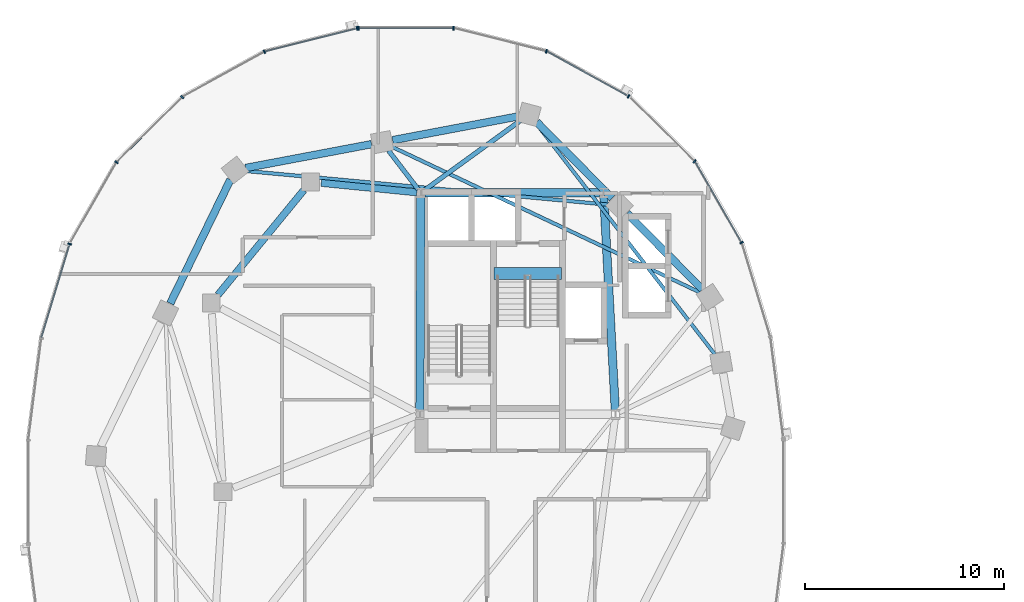
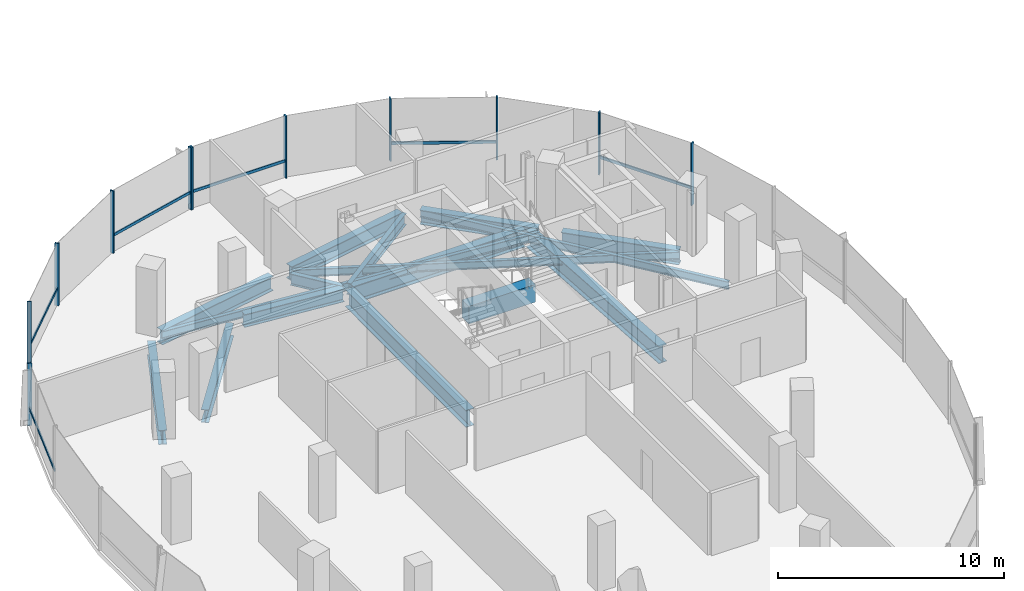
# One storey, part 5 of 22: 17 members, 16 beams, 2 elements without a shape of their own.
"""IFC4 building model written with IfcOpenShell, lengths in metres."""

from ifc_helpers import new_model, si_unit, direction, frame, origin, origin_2d, place, context, subcontext, project, spatial, rectangle, i_section, extrude, material, material_profile, profile_set, type_object, element, aggregate, save


model = new_model("IFC4")

# Units and contexts
model_context = context("Model", 3, precision=1e-05, world=origin(), true_north=direction((0.0, 1.0)))
body_context = subcontext(model_context, "Body", "Model", "MODEL_VIEW")
ifc_project = project(units=[si_unit("LENGTHUNIT", "METRE"), si_unit("AREAUNIT", "SQUARE_METRE"), si_unit("VOLUMEUNIT", "CUBIC_METRE"), si_unit("PLANEANGLEUNIT", "RADIAN"), si_unit("MASSUNIT", "GRAM", prefix="KILO"), si_unit("THERMODYNAMICTEMPERATUREUNIT", "KELVIN"), si_unit("POWERUNIT", "WATT")], contexts=[model_context])

# Site, building, storey
site_placement = place(None, origin())
site = spatial("IfcSite", under=ifc_project, at=site_placement, CompositionType="ELEMENT")
building_placement = place(site_placement, origin())
building = spatial("IfcBuilding", under=site, at=building_placement, Name="Cundina Bronze Exchange", CompositionType="ELEMENT")
storey_placement = place(building_placement, frame((0.0, 0.0, 136.800048828125)))
storey = spatial("IfcBuildingStorey", under=building, at=storey_placement, Name="L35", CompositionType="ELEMENT", Elevation=136.800048828125)

# Beams
ifc_material_1 = material(Name="Concrete C60/75", Category="concrete")
ifc_material_profile_1 = material_profile(ifc_material_1, rectangle(XDim=0.60009765625, YDim=0.949951171875, at=origin_2d()), Name="RC600X950", Category="concrete")
ifc_profile_set_1 = profile_set([ifc_material_profile_1], Name="Concrete C60/75")
beam_type_1 = type_object("IfcBeamType", Name="BM-COUP-RC950", PredefinedType="LINTEL", material=ifc_profile_set_1)
beam_1_placement = place(storey_placement, frame((-27.56005859375, 10.97998046875, -0.47509765625), z_axis=(1.0, 0.0, 0.0), x_axis=(0.0, 1.0, 0.0)))
element("IfcBeam", 1, at=beam_1_placement, inside=storey, type_object=beam_type_1, Name="L35 Stair W2 Landing Header Beam", PredefinedType="LINTEL", context=body_context, shape_type="SweptSolid", body=[
    extrude(rectangle(XDim=0.60009765625, YDim=0.949951171875, at=origin_2d()), origin(), (0.0, 0.0, 1.0), 3.400146484375),
])
ifc_material_2 = material(Name="Steel ASTM A992 Grade 50", Category="steel")
ifc_material_profile_2 = material_profile(ifc_material_2, i_section(OverallWidth=0.22998046875, OverallDepth=0.616943359375, WebThickness=0.01318359375, FlangeThickness=0.022216796875, FilletRadius=0.013916015625, at=origin_2d()), Name="W24X94", Category="steel")
ifc_profile_set_2 = profile_set([ifc_material_profile_2], Name="Steel ASTM A992 Grade 50")
beam_type_2 = type_object("IfcBeamType", Name="BM-FLR-W24B", PredefinedType="BEAM", material=ifc_profile_set_2)
beam_2_placement = place(storey_placement, frame((-31.084716796875, 15.169677734375, -0.548583984375), z_axis=(0.809686957662, 0.586862020063, 0.0), x_axis=(-0.586862020063, 0.809686957662, 0.0)))
element("IfcBeam", 2, at=beam_2_placement, inside=storey, type_object=beam_type_2, Name="L35 Leg W Radial Floor Beam 04", PredefinedType="BEAM", context=body_context, shape_type="SweptSolid", body=[
    extrude(i_section(OverallWidth=0.22998046875, OverallDepth=0.616943359375, WebThickness=0.01318359375, FlangeThickness=0.022216796875, FilletRadius=0.013916015625, at=origin_2d()), origin(), (0.0, 0.0, 1.0), 5.98876953125),
])
beam_3_placement = place(storey_placement, frame((-31.373779296875, 15.2119140625, -0.548583984375), z_axis=(-0.607490490457, 0.79432695032, 0.0), x_axis=(-0.79432695032, -0.607490490457, 0.0)))
element("IfcBeam", 3, at=beam_3_placement, inside=storey, type_object=beam_type_2, Name="L35 Leg W Radial Floor Beam 05", PredefinedType="BEAM", context=body_context, shape_type="SweptSolid", body=[
    extrude(i_section(OverallWidth=0.22998046875, OverallDepth=0.616943359375, WebThickness=0.01318359375, FlangeThickness=0.022216796875, FilletRadius=0.013916015625, at=origin_2d()), origin(), (0.0, 0.0, 1.0), 2.46826171875),
])
ifc_material_profile_3 = material_profile(ifc_material_2, i_section(OverallWidth=0.178955078125, OverallDepth=0.409912109375, WebThickness=0.0087890625, FlangeThickness=0.014404296875, FilletRadius=0.010986328125, at=origin_2d()), Name="W16X45", Category="steel")
ifc_profile_set_3 = profile_set([ifc_material_profile_3], Name="Steel ASTM A992 Grade 50")
beam_type_3 = type_object("IfcBeamType", Name="BM-JST-W16", PredefinedType="JOIST", material=ifc_profile_set_3)
beam_4_placement = place(storey_placement, frame((-16.454345703125, 6.92529296875, -0.445068359375), z_axis=(-0.612065218806, 0.790807288742, 0.0), x_axis=(-0.790807288742, -0.612065218806, 0.0)))
element("IfcBeam", 4, at=beam_4_placement, inside=storey, type_object=beam_type_3, Name="L35 Leg W Lobe Floor Joist 01-04", PredefinedType="JOIST", context=body_context, shape_type="SweptSolid", body=[
    extrude(i_section(OverallWidth=0.178955078125, OverallDepth=0.409912109375, WebThickness=0.0087890625, FlangeThickness=0.014404296875, FilletRadius=0.010986328125, at=origin_2d()), origin(), (0.0, 0.0, 1.0), 14.73095703125),
])
beam_5_placement = place(storey_placement, frame((-17.186279296875, 10.02978515625, -0.445068359375), z_axis=(-0.904069270633, 0.427385954259, 0.0), x_axis=(-0.427385954259, -0.904069270633, 0.0)))
element("IfcBeam", 5, at=beam_5_placement, inside=storey, type_object=beam_type_3, Name="L35 Leg W Lobe Floor Joist 02-05", PredefinedType="JOIST", context=body_context, shape_type="SweptSolid", body=[
    extrude(i_section(OverallWidth=0.178955078125, OverallDepth=0.409912109375, WebThickness=0.0087890625, FlangeThickness=0.014404296875, FilletRadius=0.010986328125, at=origin_2d()), origin(), (0.0, 0.0, 1.0), 17.175048828125),
])
beam_6_placement = place(storey_placement, frame((-21.78564453125, 14.44970703125, -0.445068359375), z_axis=(-0.995700674022, 0.092629194921, 0.0), x_axis=(-0.092629194921, -0.995700674022, 0.0)))
element("IfcBeam", 6, at=beam_6_placement, inside=storey, type_object=beam_type_3, Name="L35 Leg W Lobe Floor Joist 03-06", PredefinedType="JOIST", context=body_context, shape_type="SweptSolid", body=[
    extrude(i_section(OverallWidth=0.178955078125, OverallDepth=0.409912109375, WebThickness=0.0087890625, FlangeThickness=0.014404296875, FilletRadius=0.010986328125, at=origin_2d()), origin(), (0.0, 0.0, 1.0), 18.357421875),
])
ifc_material_profile_4 = material_profile(ifc_material_2, i_section(OverallWidth=0.35498046875, OverallDepth=0.695068359375, WebThickness=0.015380859375, FlangeThickness=0.02490234375, FilletRadius=0.01806640625, at=origin_2d()), Name="W27X146", Category="steel")
ifc_profile_set_4 = profile_set([ifc_material_profile_4], Name="Steel ASTM A992 Grade 50")
beam_type_4 = type_object("IfcBeamType", Name="BM-RING-W27", PredefinedType="USERDEFINED", material=ifc_profile_set_4)
beam_7_placement = place(storey_placement, frame((-31.452880859375, 15.070068359375, -0.587646484375), z_axis=(-0.995126271817, 0.098608839051, 0.0), x_axis=(-0.098608839051, -0.995126271817, 0.0)))
element("IfcBeam", 7, at=beam_7_placement, inside=storey, type_object=beam_type_4, Name="L35 W Inner Structural Ring Girder 01", ObjectType="GIRDER", PredefinedType="USERDEFINED", context=body_context, shape_type="SweptSolid", body=[
    extrude(i_section(OverallWidth=0.35498046875, OverallDepth=0.695068359375, WebThickness=0.015380859375, FlangeThickness=0.02490234375, FilletRadius=0.01806640625, at=origin_2d()), origin(), (0.0, 0.0, 1.0), 4.83544921875),
])
beam_8_placement = place(storey_placement, frame((-37.14111328125, 15.183837890625, -0.587646484375), z_axis=(-0.633926549035, -0.773393257295, 0.0), x_axis=(0.773393257295, -0.633926549035, 0.0)))
element("IfcBeam", 8, at=beam_8_placement, inside=storey, type_object=beam_type_4, Name="L35 W Inner Structural Ring Girder 02", ObjectType="GIRDER", PredefinedType="USERDEFINED", context=body_context, shape_type="SweptSolid", body=[
    extrude(i_section(OverallWidth=0.35498046875, OverallDepth=0.695068359375, WebThickness=0.015380859375, FlangeThickness=0.02490234375, FilletRadius=0.01806640625, at=origin_2d()), origin(), (0.0, 0.0, 1.0), 6.811279296875),
])
ifc_material_profile_5 = material_profile(ifc_material_2, i_section(OverallWidth=0.381103515625, OverallDepth=0.77294921875, WebThickness=0.0166015625, FlangeThickness=0.027099609375, FilletRadius=0.01904296875, at=origin_2d()), Name="W30X173", Category="steel")
ifc_profile_set_5 = profile_set([ifc_material_profile_5], Name="Steel ASTM A992 Grade 50")
beam_type_5 = type_object("IfcBeamType", Name="BM-RING-W30", PredefinedType="USERDEFINED", material=ifc_profile_set_5)
for number, where, z_axis, x_axis, name in (
    (9, (-17.078369140625, 10.1826171875, -0.62646484375), (-0.703226342126, 0.7109660412, 0.0), (-0.7109660412, -0.703226342126, 0.0), "L35 W Perimeter Ring Girder 02"),
    (10, (-21.62841796875, 14.782470703125, -0.62646484375), (-0.703226342126, 0.7109660412, 0.0), (-0.7109660412, -0.703226342126, 0.0), "L35 W Perimeter Ring Girder 03"),
):
    element("IfcBeam", number, at=place(storey_placement, frame(where, z_axis=z_axis, x_axis=x_axis)), inside=storey, type_object=beam_type_5, Name=name, ObjectType="GIRDER", PredefinedType="USERDEFINED", context=body_context, shape_type="SweptSolid", body=[
        extrude(i_section(OverallWidth=0.381103515625, OverallDepth=0.77294921875, WebThickness=0.0166015625, FlangeThickness=0.027099609375, FilletRadius=0.01904296875, at=origin_2d()), origin(), (0.0, 0.0, 1.0), 5.39404296875),
    ])
for number, where, z_axis, x_axis, name in (
    (11, (-26.32861328125, 18.89990234375, -0.62646484375), (-0.98257117919, -0.185886733861, 0.0), (0.185886733861, -0.98257117919, 0.0), "L35 W Perimeter Ring Girder 04"),
    (12, (-33.728515625, 17.5, -0.62646484375), (-0.98257117919, -0.185886733861, 0.0), (0.185886733861, -0.98257117919, 0.0), "L35 W Perimeter Ring Girder 05"),
):
    element("IfcBeam", number, at=place(storey_placement, frame(where, z_axis=z_axis, x_axis=x_axis)), inside=storey, type_object=beam_type_5, Name=name, ObjectType="GIRDER", PredefinedType="USERDEFINED", context=body_context, shape_type="SweptSolid", body=[
        extrude(i_section(OverallWidth=0.381103515625, OverallDepth=0.77294921875, WebThickness=0.0166015625, FlangeThickness=0.027099609375, FilletRadius=0.01904296875, at=origin_2d()), origin(), (0.0, 0.0, 1.0), 6.455322265625),
    ])
beam_9_placement = place(storey_placement, frame((-40.835205078125, 15.716064453125, -0.62646484375), z_axis=(-0.437193894283, -0.899367276924, 0.0), x_axis=(0.899367276924, -0.437193894283, 0.0)))
element("IfcBeam", 13, at=beam_9_placement, inside=storey, type_object=beam_type_5, Name="L35 W Perimeter Ring Girder 06", ObjectType="GIRDER", PredefinedType="USERDEFINED", context=body_context, shape_type="SweptSolid", body=[
    extrude(i_section(OverallWidth=0.381103515625, OverallDepth=0.77294921875, WebThickness=0.0166015625, FlangeThickness=0.027099609375, FilletRadius=0.01904296875, at=origin_2d()), origin(), (0.0, 0.0, 1.0), 6.929443359375),
])
ifc_material_profile_6 = material_profile(ifc_material_2, i_section(OverallWidth=0.41796875, OverallDepth=0.927001953125, WebThickness=0.019287109375, FlangeThickness=0.031982421875, FilletRadius=0.02392578125, at=origin_2d()), Name="W36X231", Category="steel")
ifc_profile_set_6 = profile_set([ifc_material_profile_6], Name="Steel ASTM A992 Grade 50")
beam_type_6 = type_object("IfcBeamType", Name="BM-WRN-W36B", PredefinedType="USERDEFINED", material=ifc_profile_set_6)
beam_10_placement = place(storey_placement, frame((-21.4609375, 4.103759765625, -0.70361328125), z_axis=(-0.053739193498, 0.998555005537, 0.0), x_axis=(-0.998555005537, -0.053739193498, 0.0)))
element("IfcBeam", 14, at=beam_10_placement, inside=storey, type_object=beam_type_6, Name="L35 W Core Perimeter Tie Girder 2", ObjectType="GIRDER", PredefinedType="USERDEFINED", context=body_context, shape_type="SweptSolid", body=[
    extrude(i_section(OverallWidth=0.41796875, OverallDepth=0.927001953125, WebThickness=0.019287109375, FlangeThickness=0.031982421875, FilletRadius=0.02392578125, at=origin_2d()), origin(), (0.0, 0.0, 1.0), 10.758056640625),
])
beam_11_placement = place(storey_placement, frame((-22.25390625, 15.050048828125, -0.70361328125), z_axis=(-1.0, 0.0, 0.0), x_axis=(0.0, -1.0, 0.0)))
element("IfcBeam", 15, at=beam_11_placement, inside=storey, type_object=beam_type_6, Name="L35 W Core Perimeter Tie Girder 3", ObjectType="GIRDER", PredefinedType="USERDEFINED", context=body_context, shape_type="SweptSolid", body=[
    extrude(i_section(OverallWidth=0.41796875, OverallDepth=0.927001953125, WebThickness=0.019287109375, FlangeThickness=0.031982421875, FilletRadius=0.02392578125, at=origin_2d()), origin(), (0.0, 0.0, 1.0), 8.7919921875),
])
beam_12_placement = place(storey_placement, frame((-31.2509765625, 14.845947265625, -0.70361328125), z_axis=(-0.004477329608, -0.99998997671, 0.0), x_axis=(0.99998997671, -0.004477329608, 0.0)))
element("IfcBeam", 16, at=beam_12_placement, inside=storey, type_object=beam_type_6, Name="L35 W Core Perimeter Tie Girder 4", ObjectType="GIRDER", PredefinedType="USERDEFINED", context=body_context, shape_type="SweptSolid", body=[
    extrude(i_section(OverallWidth=0.41796875, OverallDepth=0.927001953125, WebThickness=0.019287109375, FlangeThickness=0.031982421875, FilletRadius=0.02392578125, at=origin_2d()), origin(), (0.0, 0.0, 1.0), 10.741943359375),
])

# Curtain wall, members
ifc_material_3 = material(Name="Anodised Bronze Aluminium 6063-T6", Category="aluminium")
curtain_wall_type = type_object("IfcCurtainWallType", Name="CWS-WST-PIN", PredefinedType="NOTDEFINED", material=ifc_material_3)
curtain_wall_1_placement = place(storey_placement, origin())
curtain_wall_1 = element("IfcCurtainWall", 17, at=curtain_wall_1_placement, inside=storey, type_object=curtain_wall_type, Name="L35 CW-04 Curtain Wall Run CWR-L35-W1", PredefinedType="NOTDEFINED")
ifc_material_profile_7 = material_profile(ifc_material_3, rectangle(XDim=0.070068359375, YDim=0.18994140625, at=origin_2d()), Name="AL70X190", Category="aluminium")
ifc_profile_set_7 = profile_set([ifc_material_profile_7], Name="Anodised Bronze Aluminium 6063-T6")
member_type_1 = type_object("IfcMemberType", Name="CWM-MUL-190", PredefinedType="MULLION", material=ifc_profile_set_7)
member_1_placement = place(storey_placement, frame((-15.10205078125, 12.541259765625, 0.0), z_axis=(0.0, 0.0, 1.0), x_axis=(-0.498487739754, 0.866896748936, 0.0)))
member_1 = element("IfcMember", 18, at=member_1_placement, type_object=member_type_1, Name="CW-04 Mullion 3", PredefinedType="MULLION", context=body_context, shape_type="SweptSolid", body=[
    extrude(rectangle(XDim=0.070068359375, YDim=0.18994140625, at=origin_2d()), origin(), (0.0, 0.0, 1.0), 3.35986328125),
])
member_2_placement = place(storey_placement, frame((-17.469482421875, 16.640380859375, 0.0), z_axis=(0.0, 0.0, 1.0), x_axis=(-0.712026045991, 0.702153052995, 0.0)))
member_2 = element("IfcMember", 19, at=member_2_placement, type_object=member_type_1, Name="CW-04 Mullion 4", PredefinedType="MULLION", context=body_context, shape_type="SweptSolid", body=[
    extrude(rectangle(XDim=0.070068359375, YDim=0.18994140625, at=origin_2d()), origin(), (0.0, 0.0, 1.0), 3.35986328125),
])
member_3_placement = place(storey_placement, frame((-20.79345703125, 19.906005859375, 0.0), z_axis=(0.0, 0.0, 1.0), x_axis=(-0.875885937035, 0.482518212408, 0.0)))
member_3 = element("IfcMember", 20, at=member_3_placement, type_object=member_type_1, Name="CW-04 Mullion 5", PredefinedType="MULLION", context=body_context, shape_type="SweptSolid", body=[
    extrude(rectangle(XDim=0.070068359375, YDim=0.18994140625, at=origin_2d()), origin(), (0.0, 0.0, 1.0), 3.35986328125),
])
member_4_placement = place(storey_placement, frame((-24.932373046875, 22.17626953125, 0.0), z_axis=(0.0, 0.0, 1.0), x_axis=(-0.970084240161, 0.242768546132, 0.0)))
member_4 = element("IfcMember", 21, at=member_4_placement, type_object=member_type_1, Name="CW-04 Mullion 6", PredefinedType="MULLION", context=body_context, shape_type="SweptSolid", body=[
    extrude(rectangle(XDim=0.070068359375, YDim=0.18994140625, at=origin_2d()), origin(), (0.0, 0.0, 1.0), 3.35986328125),
])
member_5_placement = place(storey_placement, frame((-29.60595703125, 23.3369140625, 0.0), z_axis=(0.0, 0.0, 1.0), x_axis=(-1.0, 0.0, 0.0)))
member_5 = element("IfcMember", 22, at=member_5_placement, type_object=member_type_1, Name="CW-04 Mullion 7", PredefinedType="MULLION", context=body_context, shape_type="SweptSolid", body=[
    extrude(rectangle(XDim=0.070068359375, YDim=0.18994140625, at=origin_2d()), origin(), (0.0, 0.0, 1.0), 3.35986328125),
])
member_6_placement = place(storey_placement, frame((-34.39404296875, 23.3369140625, 0.0), z_axis=(0.0, 0.0, 1.0), x_axis=(-1.0, 0.0, 0.0)))
member_6 = element("IfcMember", 23, at=member_6_placement, type_object=member_type_1, Name="CW-04 End Mullion", PredefinedType="MULLION", context=body_context, shape_type="SweptSolid", body=[
    extrude(rectangle(XDim=0.070068359375, YDim=0.18994140625, at=origin_2d()), origin(), (0.0, 0.0, 1.0), 3.35986328125),
])

curtain_wall_2_placement = place(storey_placement, origin())
curtain_wall_2 = element("IfcCurtainWall", 24, at=curtain_wall_2_placement, inside=storey, type_object=curtain_wall_type, Name="L35 CW-04 Curtain Wall Run CWR-L35-W2", PredefinedType="NOTDEFINED")
member_7_placement = place(storey_placement, frame((-34.462646484375, 23.32861328125, 0.0), z_axis=(0.0, 0.0, 1.0), x_axis=(-0.970084240161, -0.242768546132, 0.0)))
member_7 = element("IfcMember", 25, at=member_7_placement, type_object=member_type_1, Name="CW-04 Mullion 1", PredefinedType="MULLION", context=body_context, shape_type="SweptSolid", body=[
    extrude(rectangle(XDim=0.070068359375, YDim=0.18994140625, at=origin_2d()), origin(), (0.0, 0.0, 1.0), 3.35986328125),
])
member_8_placement = place(storey_placement, frame((-39.13037109375, 22.151611328125, 0.0), z_axis=(0.0, 0.0, 1.0), x_axis=(-0.875885937035, -0.482518212408, 0.0)))
member_8 = element("IfcMember", 26, at=member_8_placement, type_object=member_type_1, Name="CW-04 Mullion 2", PredefinedType="MULLION", context=body_context, shape_type="SweptSolid", body=[
    extrude(rectangle(XDim=0.070068359375, YDim=0.18994140625, at=origin_2d()), origin(), (0.0, 0.0, 1.0), 3.35986328125),
])
member_9_placement = place(storey_placement, frame((-43.259033203125, 19.86669921875, 0.0), z_axis=(0.0, 0.0, 1.0), x_axis=(-0.712026045991, -0.702153052995, 0.0)))
member_9 = element("IfcMember", 27, at=member_9_placement, type_object=member_type_1, Name="CW-04 Mullion 3", PredefinedType="MULLION", context=body_context, shape_type="SweptSolid", body=[
    extrude(rectangle(XDim=0.070068359375, YDim=0.18994140625, at=origin_2d()), origin(), (0.0, 0.0, 1.0), 3.35986328125),
])
member_10_placement = place(storey_placement, frame((-46.57080078125, 16.588134765625, 0.0), z_axis=(0.0, 0.0, 1.0), x_axis=(-0.498487739754, -0.866896748936, 0.0)))
member_10 = element("IfcMember", 28, at=member_10_placement, type_object=member_type_1, Name="CW-04 Mullion 4", PredefinedType="MULLION", context=body_context, shape_type="SweptSolid", body=[
    extrude(rectangle(XDim=0.070068359375, YDim=0.18994140625, at=origin_2d()), origin(), (0.0, 0.0, 1.0), 3.35986328125),
])
member_11_placement = place(storey_placement, frame((-48.92626953125, 12.4755859375, 0.0), z_axis=(0.0, 0.0, 1.0), x_axis=(-0.290034140915, -0.957016299288, 0.0)))
member_11 = element("IfcMember", 29, at=member_11_placement, type_object=member_type_1, Name="CW-04 Mullion 5", PredefinedType="MULLION", context=body_context, shape_type="SweptSolid", body=[
    extrude(rectangle(XDim=0.070068359375, YDim=0.18994140625, at=origin_2d()), origin(), (0.0, 0.0, 1.0), 3.35986328125),
])

# Member
ifc_material_profile_8 = material_profile(ifc_material_3, rectangle(XDim=0.06494140625, YDim=0.14990234375, at=origin_2d()), Name="AL65X150", Category="aluminium")
ifc_profile_set_8 = profile_set([ifc_material_profile_8], Name="Anodised Bronze Aluminium 6063-T6")
member_type_2 = type_object("IfcMemberType", Name="CWM-TRN-150", PredefinedType="USERDEFINED", material=ifc_profile_set_8)
member_12_placement = place(storey_placement, frame((-15.121337890625, 12.574462890625, 0.919921875), z_axis=(-0.498479967047, 0.866901218394, 0.0), x_axis=(-0.866901218394, -0.498479967047, 0.0)))
member_12 = element("IfcMember", 30, at=member_12_placement, type_object=member_type_2, Name="CW-04 Spandrel Transom 3", ObjectType="TRANSOM", PredefinedType="USERDEFINED", context=body_context, shape_type="SweptSolid", body=[
    extrude(rectangle(XDim=0.06494140625, YDim=0.14990234375, at=origin_2d()), origin(), (0.0, 0.0, 1.0), 4.66845703125),
])

member_13_placement = place(storey_placement, frame((-20.8271484375, 19.924560546875, 0.919921875), z_axis=(-0.875878981549, 0.482530838062, 0.0), x_axis=(-0.482530838062, -0.875878981549, 0.0)))
member_13 = element("IfcMember", 31, at=member_13_placement, type_object=member_type_2, Name="CW-04 Spandrel Transom 5", ObjectType="TRANSOM", PredefinedType="USERDEFINED", context=body_context, shape_type="SweptSolid", body=[
    extrude(rectangle(XDim=0.06494140625, YDim=0.14990234375, at=origin_2d()), origin(), (0.0, 0.0, 1.0), 4.65380859375),
])

member_14_placement = place(storey_placement, frame((-29.64453125, 23.3369140625, 0.919921875), z_axis=(-1.0, 0.0, 0.0), x_axis=(0.0, -1.0, 0.0)))
member_14 = element("IfcMember", 32, at=member_14_placement, type_object=member_type_2, Name="CW-04 Spandrel Transom 7", ObjectType="TRANSOM", PredefinedType="USERDEFINED", context=body_context, shape_type="SweptSolid", body=[
    extrude(rectangle(XDim=0.06494140625, YDim=0.14990234375, at=origin_2d()), origin(), (0.0, 0.0, 1.0), 4.7109375),
])

aggregate(curtain_wall_1, [member_1, member_12, member_2, member_3, member_13, member_4, member_5, member_6, member_14])

member_15_placement = place(storey_placement, frame((-34.5, 23.319091796875, 0.919921875), z_axis=(-0.970100130035, -0.242705042606, 0.0), x_axis=(0.242705042606, -0.970100130035, 0.0)))
member_15 = element("IfcMember", 33, at=member_15_placement, type_object=member_type_2, Name="CW-04 Spandrel Transom 1", ObjectType="TRANSOM", PredefinedType="USERDEFINED", context=body_context, shape_type="SweptSolid", body=[
    extrude(rectangle(XDim=0.06494140625, YDim=0.14990234375, at=origin_2d()), origin(), (0.0, 0.0, 1.0), 4.746826171875),
])

member_16_placement = place(storey_placement, frame((-43.28662109375, 19.839599609375, 0.919921875), z_axis=(-0.712005023839, -0.702174370102, 0.0), x_axis=(0.702174370102, -0.712005023839, 0.0)))
member_16 = element("IfcMember", 34, at=member_16_placement, type_object=member_type_2, Name="CW-04 Spandrel Transom 3", ObjectType="TRANSOM", PredefinedType="USERDEFINED", context=body_context, shape_type="SweptSolid", body=[
    extrude(rectangle(XDim=0.06494140625, YDim=0.14990234375, at=origin_2d()), origin(), (0.0, 0.0, 1.0), 4.594482421875),
])

member_17_placement = place(storey_placement, frame((-48.937255859375, 12.43896484375, 0.919921875), z_axis=(-0.290051855969, -0.957010930371, 0.0), x_axis=(0.957010930371, -0.290051855969, 0.0)))
member_17 = element("IfcMember", 35, at=member_17_placement, type_object=member_type_2, Name="CW-04 Spandrel Transom 5", ObjectType="TRANSOM", PredefinedType="USERDEFINED", context=body_context, shape_type="SweptSolid", body=[
    extrude(rectangle(XDim=0.06494140625, YDim=0.14990234375, at=origin_2d()), origin(), (0.0, 0.0, 1.0), 4.876953125),
])

aggregate(curtain_wall_2, [member_7, member_15, member_8, member_9, member_16, member_10, member_11, member_17])

save(model, "model.ifc")
